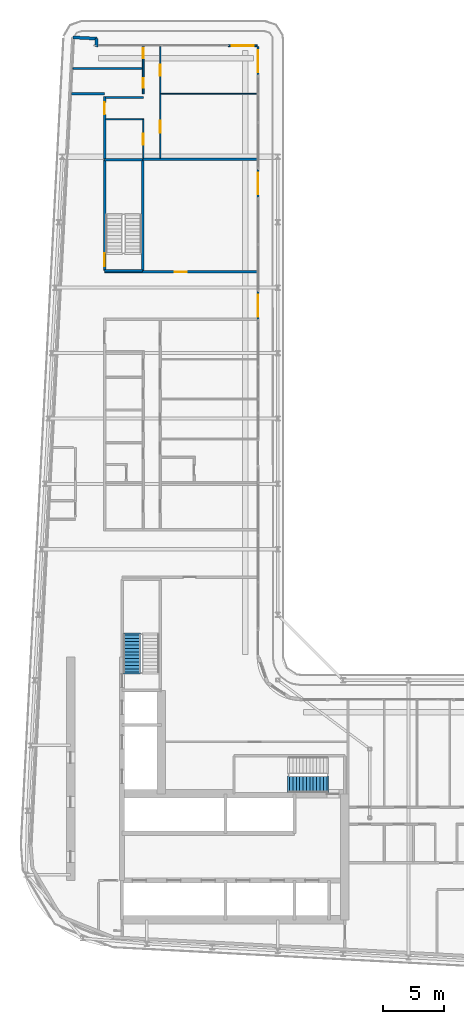
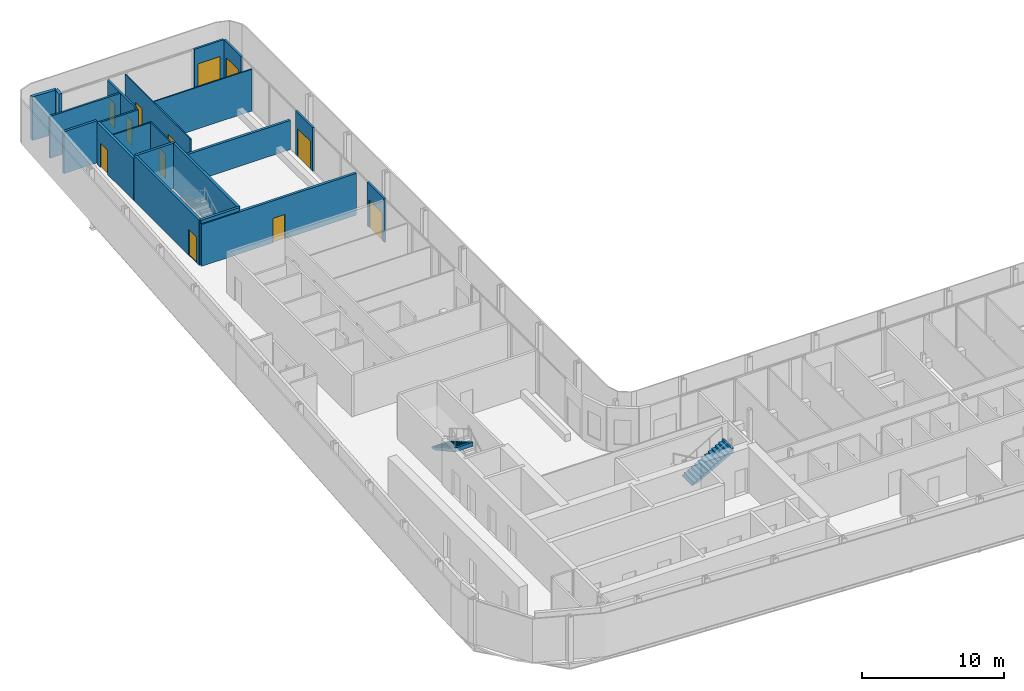
# One storey, part 15 of 23: 21 walls, 12 doors, 2 stair flights, 12 openings, 2 elements without a shape of their own.
"""IFC4 building model written with IfcOpenShell, lengths in metres."""

import ifcopenshell
import ifcopenshell.guid

model = None  # the IFC model being written
_history = None  # IfcOwnerHistory: only IFC2X3 demands one
_inside = {}  # id of a spatial element -> (the spatial element, [elements in it])
_under = {}  # id of a project, library or spatial element -> (it, [spatial elements below it])
_declared = {}  # id of a project -> (the project, [libraries it declares])
_typed = {}  # id of a type object -> (the type object, [elements of that type])
_made_of = {}  # id of a material, layer set ... -> (it, [elements and type objects made of it])


def new_model(schema):
    """Start an empty IFC model of exactly this schema.

    Asked for "IFC4X3", IfcOpenShell would pick the latest addendum, in which some entities
    have other attributes; the version numbers below select the first issue.
    IFC2X3 requires an IfcOwnerHistory on every rooted entity: one is made here for all.
    """
    global model, _history
    if schema == "IFC4X3":
        model = ifcopenshell.file(schema_version=(4, 3, 0, 0))
    else:
        model = ifcopenshell.file(schema=schema)
    _inside.clear()
    _under.clear()
    _declared.clear()
    _typed.clear()
    _made_of.clear()
    _history = None
    if model.schema == "IFC2X3":
        org = make("IfcOrganization", Name="unknown")
        user = make(
            "IfcPersonAndOrganization",
            ThePerson=make("IfcPerson", FamilyName="unknown"),
            TheOrganization=org,
        )
        app = make(
            "IfcApplication",
            ApplicationDeveloper=org,
            Version="unknown",
            ApplicationFullName="unknown",
            ApplicationIdentifier="unknown",
        )
        _history = make(
            "IfcOwnerHistory",
            OwningUser=user,
            OwningApplication=app,
            ChangeAction="ADDED",
            CreationDate=0,
        )
    return model


def make(cls, **values):
    """One entity of the class cls with the attributes given. An attribute that is None is left unset."""
    return model.create_entity(
        cls, **{name: value for name, value in values.items() if value is not None}
    )


def rooted(cls, **values):
    """An entity with a GlobalId (a new one), such as an element, a storey or a relation."""
    return make(cls, GlobalId=ifcopenshell.guid.new(), OwnerHistory=_history, **values)


def si_unit(unit_type, name, prefix=None):
    """IfcSIUnit, for example si_unit("LENGTHUNIT", "METRE", prefix="MILLI")."""
    return make("IfcSIUnit", UnitType=unit_type, Prefix=prefix, Name=name)


def assignment(units):
    """IfcUnitAssignment: the units of a project."""
    return None if units is None else make("IfcUnitAssignment", Units=units)


def point(xyz):
    """IfcCartesianPoint."""
    return None if xyz is None else make("IfcCartesianPoint", Coordinates=xyz)


def direction(xyz):
    """IfcDirection."""
    return None if xyz is None else make("IfcDirection", DirectionRatios=xyz)


def frame(location, z_axis=None, x_axis=None):
    """IfcAxis2Placement3D, a coordinate frame: its origin and axes. An axis left out is left unset."""
    return make(
        "IfcAxis2Placement3D",
        Location=point(location),
        Axis=direction(z_axis),
        RefDirection=direction(x_axis),
    )


def frame_2d(location, x_axis=None):
    """IfcAxis2Placement2D, a coordinate frame in the plane: its origin and x axis."""
    return make(
        "IfcAxis2Placement2D", Location=point(location), RefDirection=direction(x_axis)
    )


def origin():
    """The frame at (0, 0, 0) with its axes left unset."""
    return frame((0.0, 0.0, 0.0))


def place(relative_to, where):
    """IfcLocalPlacement: puts the frame where relative to a parent placement (None: the world)."""
    return make(
        "IfcLocalPlacement", PlacementRelTo=relative_to, RelativePlacement=where
    )


def context(
    kind, dimensions, precision=None, world=None, true_north=None, identifier=None
):
    """IfcGeometricRepresentationContext, for example the 3D "Model" context."""
    return make(
        "IfcGeometricRepresentationContext",
        ContextIdentifier=identifier,
        ContextType=kind,
        CoordinateSpaceDimension=dimensions,
        Precision=precision,
        WorldCoordinateSystem=world,
        TrueNorth=true_north,
    )


def subcontext(parent, identifier, kind, view, scale=None):
    """IfcGeometricRepresentationSubContext, for example "Body" below "Model"."""
    return make(
        "IfcGeometricRepresentationSubContext",
        ContextIdentifier=identifier,
        ContextType=kind,
        ParentContext=parent,
        TargetScale=scale,
        TargetView=view,
    )


def project(units=None, contexts=None):
    """IfcProject with its units and contexts."""
    return rooted(
        "IfcProject",
        Name="project",
        RepresentationContexts=contexts,
        UnitsInContext=assignment(units),
    )


def spatial(cls, under=None, at=None, **own):
    """A site, building, storey or space (cls), placed at a placement, below another one or the project."""
    s = rooted(cls, ObjectPlacement=at, **own)
    if under is not None:
        _under.setdefault(under.id(), (under, []))[1].append(s)
    return s


def polyline(points):
    """IfcPolyline through the points."""
    return make("IfcPolyline", Points=[point(p) for p in points])


def profile(cls, at=None, kind="AREA", **sizes):
    """A parametric profile (cls). Its sizes go by their IFC names, for example OverallWidth=200.0."""
    return make(cls, ProfileType=kind, Position=at, **sizes)


def rectangle(**sizes):
    """IfcRectangleProfileDef."""
    return profile("IfcRectangleProfileDef", **sizes)


def outline(outer, holes=None, kind="AREA"):
    """IfcArbitraryClosedProfileDef: a profile drawn as a closed curve; with holes, ...WithVoids."""
    if holes is None:
        return make("IfcArbitraryClosedProfileDef", ProfileType=kind, OuterCurve=outer)
    return make(
        "IfcArbitraryProfileDefWithVoids",
        ProfileType=kind,
        OuterCurve=outer,
        InnerCurves=holes,
    )


def extrude(swept, where, along, depth):
    """IfcExtrudedAreaSolid: the profile swept, set in the frame where, extruded along a direction by depth."""
    return make(
        "IfcExtrudedAreaSolid",
        SweptArea=swept,
        Position=where,
        ExtrudedDirection=direction(along),
        Depth=depth,
    )


def shape(context_of_items, identifier, shape_type, items):
    """IfcShapeRepresentation: the items that make up one representation, for example the "Body"."""
    return make(
        "IfcShapeRepresentation",
        ContextOfItems=context_of_items,
        RepresentationIdentifier=identifier,
        RepresentationType=shape_type,
        Items=items,
    )


def source(mapping_origin, context_of_items, identifier, shape_type, items):
    """IfcRepresentationMap: a shape defined once, which mapped items show again and again."""
    return make(
        "IfcRepresentationMap",
        MappingOrigin=mapping_origin,
        MappedRepresentation=shape(context_of_items, identifier, shape_type, items),
    )


def transform(
    local_origin,
    x_axis=None,
    y_axis=None,
    z_axis=None,
    scale=None,
    scale2=None,
    scale3=None,
    uniform=True,
):
    """IfcCartesianTransformationOperator3D, or its non-uniform kind. x_axis, y_axis, z_axis: its Axis1, 2, 3."""
    if uniform:
        return make(
            "IfcCartesianTransformationOperator3D",
            Axis1=direction(x_axis),
            Axis2=direction(y_axis),
            LocalOrigin=point(local_origin),
            Scale=scale,
            Axis3=direction(z_axis),
        )
    return make(
        "IfcCartesianTransformationOperator3DnonUniform",
        Axis1=direction(x_axis),
        Axis2=direction(y_axis),
        LocalOrigin=point(local_origin),
        Scale=scale,
        Axis3=direction(z_axis),
        Scale2=scale2,
        Scale3=scale3,
    )


def mapped(mapping_source, mapping_target):
    """IfcMappedItem: shows the shape of a source again, moved by a transform."""
    return make(
        "IfcMappedItem", MappingSource=mapping_source, MappingTarget=mapping_target
    )


def material(Name=None, Category=None):
    """IfcMaterial."""
    return make("IfcMaterial", Name=Name, Category=Category)


def layer(
    of_material, thickness, ventilated=None, Name=None, Category=None, Priority=None
):
    """IfcMaterialLayer: one layer of a wall or slab, of a material (None: an air gap)."""
    return make(
        "IfcMaterialLayer",
        Material=of_material,
        LayerThickness=thickness,
        IsVentilated=ventilated,
        Name=Name,
        Category=Category,
        Priority=Priority,
    )


def layer_set(layers, Name=None):
    """IfcMaterialLayerSet."""
    return make("IfcMaterialLayerSet", MaterialLayers=layers, LayerSetName=Name)


def made_of(thing, what):
    """Note that an element or type object is made of a material, layer set ...; save() writes the relation."""
    if what is not None:
        _made_of.setdefault(what.id(), (what, []))[1].append(thing)
    return thing


def type_object(cls, material=None, **own):
    """A type object (cls), such as IfcWallType, which elements share."""
    return made_of(rooted(cls, **own), material)


def element(
    cls,
    number,
    at=None,
    inside=None,
    cuts=None,
    type_object=None,
    material=None,
    context=None,
    identifier="Body",
    shape_type=None,
    held_by="IfcProductDefinitionShape",
    body=None,
    shapes=None,
    **own,
):
    """One element of the class cls, such as IfcWall. Its Tag is "e" and its number.

    at: its placement. inside: the storey or other place that contains it. cuts: it is an
    opening in that element (IfcRelVoidsElement). A single representation is given by context,
    identifier, shape_type and body (its items); several are given by shapes. held_by: the class
    of the entity that holds the representations. save() writes the other relations.
    """
    e = rooted(cls, Tag="e%d" % number, ObjectPlacement=at, **own)
    if body is not None:
        shapes = [shape(context, identifier, shape_type, body)]
    if shapes is not None:
        e.Representation = make(held_by, Representations=shapes)
    if inside is not None:
        _inside.setdefault(inside.id(), (inside, []))[1].append(e)
    if cuts is not None:
        rooted(
            "IfcRelVoidsElement", RelatingBuildingElement=cuts, RelatedOpeningElement=e
        )
    if type_object is not None:
        _typed.setdefault(type_object.id(), (type_object, []))[1].append(e)
    return made_of(e, material)


def fill(opening, filler):
    """IfcRelFillsElement: the door or window that sits in an opening."""
    return rooted(
        "IfcRelFillsElement",
        RelatingOpeningElement=opening,
        RelatedBuildingElement=filler,
    )


def aggregate(whole, parts):
    """IfcRelAggregates: a whole, such as a stair, and the parts it consists of."""
    return rooted("IfcRelAggregates", RelatingObject=whole, RelatedObjects=parts)


def save(model, path):
    """Write the relations noted so far, then the file.

    IfcRelAggregates (storeys below a building ...), IfcRelContainedInSpatialStructure (elements
    in a storey), IfcRelDefinesByType, IfcRelAssociatesMaterial and IfcRelDeclares: one each for
    every whole, place, type object, material and project.
    """
    for whole, parts in _under.values():
        aggregate(whole, parts)
    for where, things in _inside.values():
        rooted(
            "IfcRelContainedInSpatialStructure",
            RelatedElements=things,
            RelatingStructure=where,
        )
    for kind, things in _typed.values():
        rooted("IfcRelDefinesByType", RelatedObjects=things, RelatingType=kind)
    for what, things in _made_of.values():
        rooted("IfcRelAssociatesMaterial", RelatedObjects=things, RelatingMaterial=what)
    for by, libraries in _declared.values():
        rooted("IfcRelDeclares", RelatingContext=by, RelatedDefinitions=libraries)
    model.write(path)


model = new_model("IFC4")

# Units and contexts
model_context = context("Model", 3, precision=1e-05, world=origin(), true_north=direction((0.0, 1.0)))
body_context = subcontext(model_context, "Body", "Model", "MODEL_VIEW")
ifc_project = project(units=[si_unit("LENGTHUNIT", "METRE"), si_unit("AREAUNIT", "SQUARE_METRE"), si_unit("VOLUMEUNIT", "CUBIC_METRE"), si_unit("PLANEANGLEUNIT", "RADIAN"), si_unit("MASSUNIT", "GRAM", prefix="KILO")], contexts=[model_context])

# Site, building, storey
site_placement = place(None, origin())
site = spatial("IfcSite", under=ifc_project, at=site_placement, CompositionType="ELEMENT")
building_placement = place(site_placement, origin())
building = spatial("IfcBuilding", under=site, at=building_placement, Name="Kheshtan School and Residences Tower", CompositionType="ELEMENT")
storey_placement = place(building_placement, frame((0.0, 0.0, 239.60009765625)))
storey = spatial("IfcBuildingStorey", under=building, at=storey_placement, Name="L56", CompositionType="ELEMENT", Elevation=239.60009765625)

# Wall
ifc_material_1 = material(Name="Gypsum board on steel studs with fire boards", Category="steel")
ifc_layer_1 = layer(ifc_material_1, 0.199951171875)
ifc_layer_set_1 = layer_set([ifc_layer_1], Name="Corridor wall 200")
wall_type_1 = type_object("IfcWallType", Name="Corridor wall 200", PredefinedType="PARTITIONING", material=ifc_layer_set_1)
wall_1_placement = place(storey_placement, frame((30.584716796875, 94.0, 0.0), z_axis=(0.0, 0.0, 1.0), x_axis=(1.0, 0.0, 0.0)))
element("IfcWall", 1, at=wall_1_placement, inside=storey, type_object=wall_type_1, Name="Partition L56-002", PredefinedType="PARTITIONING", context=body_context, shape_type="SweptSolid", body=[
    extrude(rectangle(XDim=2.71533203125, YDim=0.199951171875, at=frame_2d((1.357666015625, 0.0))), origin(), (0.0, 0.0, 1.0), 3.599853515625),
])

# Wall, opening, door
wall_2_placement = place(storey_placement, frame((33.300048828125, 79.300048828125, 0.0), z_axis=(0.0, 0.0, 1.0), x_axis=(1.0, 0.0, 0.0)))
wall_2 = element("IfcWall", 2, at=wall_2_placement, inside=storey, type_object=wall_type_1, Name="Partition L56-004", PredefinedType="PARTITIONING", context=body_context, shape_type="SweptSolid", body=[
    extrude(rectangle(XDim=12.599853515625, YDim=0.199951171875, at=frame_2d((6.2998046875, 0.0))), origin(), (0.0, 0.0, 1.0), 3.599853515625),
])
opening_1_placement = place(wall_2_placement, frame((5.794921875, 0.0, 0.0)))
opening_1 = element("IfcOpeningElement", 3, at=opening_1_placement, cuts=wall_2, Name="Opening D56-049", PredefinedType="OPENING", context=body_context, shape_type="SweptSolid", body=[
    extrude(rectangle(XDim=1.0, YDim=2.10009765625, at=frame_2d((0.5, 1.050048828125))), frame((0.0, 0.10986328125, 0.0), z_axis=(0.0, -1.0, 0.0), x_axis=(1.0, 0.0, 0.0)), (0.0, 0.0, 1.0), 0.219970703125),
])
ifc_material_2 = material(Name="Steel-framed fire-resisting door leaf", Category="steel")
door_type_1 = type_object("IfcDoorType", Name="Fire door FD60 1000 x 2100", OperationType="SINGLE_SWING_LEFT", PredefinedType="DOOR", material=ifc_material_2)
shared_shape_1 = source(origin(), body_context, "Body", "SweptSolid", [
    extrude(rectangle(XDim=1.0, YDim=2.10009765625, at=frame_2d((0.5, 1.050048828125))), frame((0.0, 0.02490234375, 0.0), z_axis=(0.0, -1.0, 0.0), x_axis=(1.0, 0.0, 0.0)), (0.0, 0.0, 1.0), 0.050048828125),
])
door_1_placement = place(opening_1_placement, origin())
door_1 = element("IfcDoor", 4, at=door_1_placement, inside=storey, type_object=door_type_1, Name="Door D56-049", OperationType="SINGLE_SWING_RIGHT", OverallHeight=2.10009765625, OverallWidth=1.0, PredefinedType="DOOR", context=body_context, shape_type="MappedRepresentation", body=[
    mapped(shared_shape_1, transform((0.0, 0.0, 0.0), x_axis=(1.0, 0.0, 0.0), y_axis=(0.0, 1.0, 0.0), z_axis=(0.0, 0.0, 1.0), scale=1.0)),
])
fill(opening_1, door_1)

wall_3_placement = place(storey_placement, frame((33.300048828125, 88.60009765625, 0.0), z_axis=(0.0, 0.0, 1.0), x_axis=(0.0, 1.0, 0.0)))
wall_3 = element("IfcWall", 5, at=wall_3_placement, inside=storey, type_object=wall_type_1, Name="Partition L56-005", PredefinedType="PARTITIONING", context=body_context, shape_type="SweptSolid", body=[
    extrude(rectangle(XDim=5.1748046875, YDim=0.199951171875, at=frame_2d((2.58740234375, 0.0))), origin(), (0.0, 0.0, 1.0), 3.599853515625),
])
opening_2_placement = place(wall_3_placement, frame((3.699951171875, 0.0, 0.0)))
opening_2 = element("IfcOpeningElement", 6, at=opening_2_placement, cuts=wall_3, Name="Opening D56-042", PredefinedType="OPENING", context=body_context, shape_type="SweptSolid", body=[
    extrude(rectangle(XDim=1.0, YDim=2.10009765625, at=frame_2d((0.5, 1.050048828125))), frame((0.0, 0.10986328125, 0.0), z_axis=(0.0, -1.0, 0.0), x_axis=(1.0, 0.0, 0.0)), (0.0, 0.0, 1.0), 0.219970703125),
])
door_type_2 = type_object("IfcDoorType", Name="Fire door FD30S 1000 x 2100", OperationType="SINGLE_SWING_LEFT", PredefinedType="DOOR", material=ifc_material_2)
shared_shape_2 = source(origin(), body_context, "Body", "SweptSolid", [
    extrude(rectangle(XDim=1.0, YDim=2.10009765625, at=frame_2d((0.5, 1.050048828125))), frame((0.0, 0.02490234375, 0.0), z_axis=(0.0, -1.0, 0.0), x_axis=(1.0, 0.0, 0.0)), (0.0, 0.0, 1.0), 0.050048828125),
])
door_2_placement = place(opening_2_placement, origin())
door_2 = element("IfcDoor", 7, at=door_2_placement, inside=storey, type_object=door_type_2, Name="Door D56-042", OperationType="SINGLE_SWING_RIGHT", OverallHeight=2.10009765625, OverallWidth=1.0, PredefinedType="DOOR", context=body_context, shape_type="MappedRepresentation", body=[
    mapped(shared_shape_2, transform((0.0, 0.0, 0.0), x_axis=(1.0, 0.0, 0.0), y_axis=(0.0, 1.0, 0.0), z_axis=(0.0, 0.0, 1.0), scale=1.0)),
])
fill(opening_2, door_2)

# Walls
ifc_material_3 = material(Name="Concrete C40/50 with ceramic cladding and mineral wool insulation", Category="concrete")
ifc_layer_2 = layer(ifc_material_3, 0.25)
ifc_layer_set_2 = layer_set([ifc_layer_2], Name="External wall 250 ceramic clad")
wall_type_2 = type_object("IfcWallType", Name="External wall 250 ceramic clad", PredefinedType="SOLIDWALL", material=ifc_layer_set_2)
wall_4_placement = place(storey_placement, frame((30.705078125, 98.6640625, 0.0), z_axis=(0.0, 0.0, 1.0), x_axis=(0.998577785791, -0.053314216913, 0.0)))
element("IfcWall", 8, at=wall_4_placement, inside=storey, type_object=wall_type_2, Name="External wall L56 5", PredefinedType="SOLIDWALL", context=body_context, shape_type="SweptSolid", body=[
    extrude(rectangle(XDim=1.95068359375, YDim=0.25, at=frame_2d((0.975341796875, 0.0))), origin(), (0.0, 0.0, 1.0), 3.75),
])
wall_5_placement = place(storey_placement, frame((32.653076171875, 98.56005859375, 0.0), z_axis=(0.0, 0.0, 1.0), x_axis=(-0.054093451632, -0.998535877418, 0.0)))
element("IfcWall", 9, at=wall_5_placement, inside=storey, type_object=wall_type_2, Name="External wall L56 6", PredefinedType="SOLIDWALL", context=body_context, shape_type="SweptSolid", body=[
    extrude(rectangle(XDim=0.66796875, YDim=0.25, at=frame_2d((0.333984375, 0.0))), origin(), (0.0, 0.0, 1.0), 3.75),
])

# Wall, opening, door
ifc_material_4 = material(Name="Aluminium frame wall with insulated infill", Category="aluminium")
ifc_layer_3 = layer(ifc_material_4, 0.14990234375)
ifc_layer_set_3 = layer_set([ifc_layer_3], Name="Glazing frame wall 150")
wall_type_3 = type_object("IfcWallType", Name="Glazing frame wall 150", PredefinedType="SOLIDWALL", material=ifc_layer_set_3)
wall_6_placement = place(storey_placement, frame((43.5, 97.97509765625, 0.0), z_axis=(0.0, 0.0, 1.0), x_axis=(1.0, 0.0, 0.0)))
wall_6 = element("IfcWall", 10, at=wall_6_placement, inside=storey, type_object=wall_type_3, Name="Balcony door wall L56 7.1", PredefinedType="SOLIDWALL", context=body_context, shape_type="SweptSolid", body=[
    extrude(rectangle(XDim=2.39990234375, YDim=0.14990234375, at=frame_2d((1.199951171875, 0.0))), origin(), (0.0, 0.0, 1.0), 3.75),
])
opening_3_placement = place(wall_6_placement, frame((0.300048828125, 0.0, 0.0)))
opening_3 = element("IfcOpeningElement", 11, at=opening_3_placement, cuts=wall_6, Name="Opening BD", PredefinedType="OPENING", context=body_context, shape_type="SweptSolid", body=[
    extrude(rectangle(XDim=1.800048828125, YDim=2.39990234375, at=frame_2d((0.89990234375, 1.199951171875))), frame((0.0, 0.0849609375, 0.0), z_axis=(0.0, -1.0, 0.0), x_axis=(1.0, 0.0, 0.0)), (0.0, 0.0, 1.0), 0.169921875),
])
ifc_material_5 = material(Name="Clear low-e glass in thermally broken aluminium frame", Category="aluminium")
door_type_3 = type_object("IfcDoorType", Name="Balcony sliding door", OperationType="SLIDING_TO_LEFT", PredefinedType="DOOR", material=ifc_material_5)
shared_shape_3 = source(origin(), body_context, "Body", "SweptSolid", [
    extrude(rectangle(XDim=1.800048828125, YDim=2.39990234375, at=frame_2d((0.89990234375, 1.199951171875))), frame((0.0, 0.02490234375, 0.0), z_axis=(0.0, -1.0, 0.0), x_axis=(1.0, 0.0, 0.0)), (0.0, 0.0, 1.0), 0.050048828125),
])
door_3_placement = place(opening_3_placement, origin())
door_3 = element("IfcDoor", 12, at=door_3_placement, inside=storey, type_object=door_type_3, Name="Balcony door L56 7.1", OperationType="SLIDING_TO_LEFT", OverallHeight=2.39990234375, OverallWidth=1.800048828125, PredefinedType="DOOR", context=body_context, shape_type="MappedRepresentation", body=[
    mapped(shared_shape_3, transform((0.0, 0.0, 0.0), x_axis=(1.0, 0.0, 0.0), y_axis=(0.0, 1.0, 0.0), z_axis=(0.0, 0.0, 1.0), scale=1.0)),
])
fill(opening_3, door_3)

wall_7_placement = place(storey_placement, frame((45.97509765625, 97.89990234375, 0.0), z_axis=(0.0, 0.0, 1.0), x_axis=(0.0, -1.0, 0.0)))
wall_7 = element("IfcWall", 13, at=wall_7_placement, inside=storey, type_object=wall_type_3, Name="Balcony door wall L56 8.1", PredefinedType="SOLIDWALL", context=body_context, shape_type="SweptSolid", body=[
    extrude(rectangle(XDim=2.39990234375, YDim=0.14990234375, at=frame_2d((1.199951171875, 0.0))), origin(), (0.0, 0.0, 1.0), 3.75),
])
opening_4_placement = place(wall_7_placement, frame((0.300048828125, 0.0, 0.0)))
opening_4 = element("IfcOpeningElement", 14, at=opening_4_placement, cuts=wall_7, Name="Opening BD", PredefinedType="OPENING", context=body_context, shape_type="SweptSolid", body=[
    extrude(rectangle(XDim=1.800048828125, YDim=2.39990234375, at=frame_2d((0.89990234375, 1.199951171875))), frame((0.0, 0.0849609375, 0.0), z_axis=(0.0, -1.0, 0.0), x_axis=(1.0, 0.0, 0.0)), (0.0, 0.0, 1.0), 0.169921875),
])
door_4_placement = place(opening_4_placement, origin())
door_4 = element("IfcDoor", 15, at=door_4_placement, inside=storey, type_object=door_type_3, Name="Balcony door L56 8.1", OperationType="SLIDING_TO_LEFT", OverallHeight=2.39990234375, OverallWidth=1.800048828125, PredefinedType="DOOR", context=body_context, shape_type="MappedRepresentation", body=[
    mapped(shared_shape_3, transform((0.0, 0.0, 0.0), x_axis=(1.0, 0.0, 0.0), y_axis=(0.0, 1.0, 0.0), z_axis=(0.0, 0.0, 1.0), scale=1.0)),
])
fill(opening_4, door_4)

wall_8_placement = place(storey_placement, frame((45.97509765625, 87.805908203125, 0.0), z_axis=(0.0, 0.0, 1.0), x_axis=(0.0, -1.0, 0.0)))
wall_8 = element("IfcWall", 16, at=wall_8_placement, inside=storey, type_object=wall_type_3, Name="Balcony door wall L56 8.2", PredefinedType="SOLIDWALL", context=body_context, shape_type="SweptSolid", body=[
    extrude(rectangle(XDim=2.39990234375, YDim=0.14990234375, at=frame_2d((1.199951171875, 0.0))), origin(), (0.0, 0.0, 1.0), 3.75),
])
opening_5_placement = place(wall_8_placement, frame((0.300048828125, 0.0, 0.0)))
opening_5 = element("IfcOpeningElement", 17, at=opening_5_placement, cuts=wall_8, Name="Opening BD", PredefinedType="OPENING", context=body_context, shape_type="SweptSolid", body=[
    extrude(rectangle(XDim=1.800048828125, YDim=2.39990234375, at=frame_2d((0.89990234375, 1.199951171875))), frame((0.0, 0.0849609375, 0.0), z_axis=(0.0, -1.0, 0.0), x_axis=(1.0, 0.0, 0.0)), (0.0, 0.0, 1.0), 0.169921875),
])
door_5_placement = place(opening_5_placement, origin())
door_5 = element("IfcDoor", 18, at=door_5_placement, inside=storey, type_object=door_type_3, Name="Balcony door L56 8.2", OperationType="SLIDING_TO_LEFT", OverallHeight=2.39990234375, OverallWidth=1.800048828125, PredefinedType="DOOR", context=body_context, shape_type="MappedRepresentation", body=[
    mapped(shared_shape_3, transform((0.0, 0.0, 0.0), x_axis=(1.0, 0.0, 0.0), y_axis=(0.0, 1.0, 0.0), z_axis=(0.0, 0.0, 1.0), scale=1.0)),
])
fill(opening_5, door_5)

wall_9_placement = place(storey_placement, frame((45.97509765625, 77.7119140625, 0.0), z_axis=(0.0, 0.0, 1.0), x_axis=(0.0, -1.0, 0.0)))
wall_9 = element("IfcWall", 19, at=wall_9_placement, inside=storey, type_object=wall_type_3, Name="Balcony door wall L56 8.3", PredefinedType="SOLIDWALL", context=body_context, shape_type="SweptSolid", body=[
    extrude(rectangle(XDim=2.39990234375, YDim=0.14990234375, at=frame_2d((1.199951171875, 0.0))), origin(), (0.0, 0.0, 1.0), 3.75),
])
opening_6_placement = place(wall_9_placement, frame((0.300048828125, 0.0, 0.0)))
opening_6 = element("IfcOpeningElement", 20, at=opening_6_placement, cuts=wall_9, Name="Opening BD", PredefinedType="OPENING", context=body_context, shape_type="SweptSolid", body=[
    extrude(rectangle(XDim=1.800048828125, YDim=2.39990234375, at=frame_2d((0.89990234375, 1.199951171875))), frame((0.0, 0.0849609375, 0.0), z_axis=(0.0, -1.0, 0.0), x_axis=(1.0, 0.0, 0.0)), (0.0, 0.0, 1.0), 0.169921875),
])
door_6_placement = place(opening_6_placement, origin())
door_6 = element("IfcDoor", 21, at=door_6_placement, inside=storey, type_object=door_type_3, Name="Balcony door L56 8.3", OperationType="SLIDING_TO_LEFT", OverallHeight=2.39990234375, OverallWidth=1.800048828125, PredefinedType="DOOR", context=body_context, shape_type="MappedRepresentation", body=[
    mapped(shared_shape_3, transform((0.0, 0.0, 0.0), x_axis=(1.0, 0.0, 0.0), y_axis=(0.0, 1.0, 0.0), z_axis=(0.0, 0.0, 1.0), scale=1.0)),
])
fill(opening_6, door_6)

# Wall
ifc_material_6 = material(Name="Gypsum board on steel studs", Category="steel")
ifc_layer_4 = layer(ifc_material_6, 0.10009765625)
ifc_layer_set_4 = layer_set([ifc_layer_4], Name="Gypsum partition 100")
wall_type_4 = type_object("IfcWallType", Name="Gypsum partition 100", PredefinedType="PARTITIONING", material=ifc_layer_set_4)
wall_10_placement = place(storey_placement, frame((33.39990234375, 91.89990234375, 0.0), z_axis=(0.0, 0.0, 1.0), x_axis=(1.0, 0.0, 0.0)))
element("IfcWall", 22, at=wall_10_placement, inside=storey, type_object=wall_type_4, Name="Partition L56-014", PredefinedType="PARTITIONING", context=body_context, shape_type="SweptSolid", body=[
    extrude(rectangle(XDim=3.050048828125, YDim=0.10009765625, at=frame_2d((1.52490234375, 0.0))), origin(), (0.0, 0.0, 1.0), 3.599853515625),
])

# Wall, opening, door
wall_11_placement = place(storey_placement, frame((36.5, 88.699951171875, 0.0), z_axis=(0.0, 0.0, 1.0), x_axis=(0.0, 1.0, 0.0)))
wall_11 = element("IfcWall", 23, at=wall_11_placement, inside=storey, type_object=wall_type_4, Name="Partition L56-022", PredefinedType="PARTITIONING", context=body_context, shape_type="SweptSolid", body=[
    extrude(rectangle(XDim=3.25, YDim=0.10009765625, at=frame_2d((1.625, 0.0))), origin(), (0.0, 0.0, 1.0), 3.599853515625),
])
opening_7_placement = place(wall_11_placement, frame((1.10009765625, 0.0, 0.0)))
opening_7 = element("IfcOpeningElement", 24, at=opening_7_placement, cuts=wall_11, Name="Opening D56-043", PredefinedType="OPENING", context=body_context, shape_type="SweptSolid", body=[
    extrude(rectangle(XDim=0.89990234375, YDim=2.10009765625, at=frame_2d((0.449951171875, 1.050048828125))), frame((0.0, 0.06005859375, 0.0), z_axis=(0.0, -1.0, 0.0), x_axis=(1.0, 0.0, 0.0)), (0.0, 0.0, 1.0), 0.1201171875),
])
ifc_material_7 = material(Name="Veneered timber door leaf", Category="wood")
door_type_4 = type_object("IfcDoorType", Name="Door 900 x 2100", OperationType="SINGLE_SWING_LEFT", PredefinedType="DOOR", material=ifc_material_7)
shared_shape_4 = source(origin(), body_context, "Body", "SweptSolid", [
    extrude(rectangle(XDim=0.89990234375, YDim=2.10009765625, at=frame_2d((0.449951171875, 1.050048828125))), frame((0.0, 0.02490234375, 0.0), z_axis=(0.0, -1.0, 0.0), x_axis=(1.0, 0.0, 0.0)), (0.0, 0.0, 1.0), 0.050048828125),
])
door_7_placement = place(opening_7_placement, origin())
door_7 = element("IfcDoor", 25, at=door_7_placement, inside=storey, type_object=door_type_4, Name="Door D56-043", OperationType="SINGLE_SWING_LEFT", OverallHeight=2.10009765625, OverallWidth=0.89990234375, PredefinedType="DOOR", context=body_context, shape_type="MappedRepresentation", body=[
    mapped(shared_shape_4, transform((0.0, 0.0, 0.0), x_axis=(1.0, 0.0, 0.0), y_axis=(0.0, 1.0, 0.0), z_axis=(0.0, 0.0, 1.0), scale=1.0)),
])
fill(opening_7, door_7)

# Wall, openings, doors
wall_12_placement = place(storey_placement, frame((37.89990234375, 88.699951171875, 0.0), z_axis=(0.0, 0.0, 1.0), x_axis=(0.0, 1.0, 0.0)))
wall_12 = element("IfcWall", 26, at=wall_12_placement, inside=storey, type_object=wall_type_4, Name="Partition L56-025", PredefinedType="PARTITIONING", context=body_context, shape_type="SweptSolid", body=[
    extrude(rectangle(XDim=9.199951171875, YDim=0.10009765625, at=frame_2d((4.60009765625, 0.0))), origin(), (0.0, 0.0, 1.0), 3.599853515625),
])
opening_8_placement = place(wall_12_placement, frame((6.800048828125, 0.0, 0.0)))
opening_8 = element("IfcOpeningElement", 27, at=opening_8_placement, cuts=wall_12, Name="Opening D56-041", PredefinedType="OPENING", context=body_context, shape_type="SweptSolid", body=[
    extrude(rectangle(XDim=0.89990234375, YDim=2.10009765625, at=frame_2d((0.449951171875, 1.050048828125))), frame((0.0, 0.06005859375, 0.0), z_axis=(0.0, -1.0, 0.0), x_axis=(1.0, 0.0, 0.0)), (0.0, 0.0, 1.0), 0.1201171875),
])
opening_9_placement = place(wall_12_placement, frame((2.10009765625, 0.0, 0.0)))
opening_9 = element("IfcOpeningElement", 28, at=opening_9_placement, cuts=wall_12, Name="Opening D56-044", PredefinedType="OPENING", context=body_context, shape_type="SweptSolid", body=[
    extrude(rectangle(XDim=1.0, YDim=2.10009765625, at=frame_2d((0.5, 1.050048828125))), frame((0.0, 0.06005859375, 0.0), z_axis=(0.0, -1.0, 0.0), x_axis=(1.0, 0.0, 0.0)), (0.0, 0.0, 1.0), 0.1201171875),
])
door_type_5 = type_object("IfcDoorType", Name="Door 1000 x 2100", OperationType="SINGLE_SWING_LEFT", PredefinedType="DOOR", material=ifc_material_7)
shared_shape_5 = source(origin(), body_context, "Body", "SweptSolid", [
    extrude(rectangle(XDim=1.0, YDim=2.10009765625, at=frame_2d((0.5, 1.050048828125))), frame((0.0, 0.02490234375, 0.0), z_axis=(0.0, -1.0, 0.0), x_axis=(1.0, 0.0, 0.0)), (0.0, 0.0, 1.0), 0.050048828125),
])
door_8_placement = place(opening_9_placement, origin())
door_8 = element("IfcDoor", 29, at=door_8_placement, inside=storey, type_object=door_type_5, Name="Door D56-044", OperationType="SINGLE_SWING_LEFT", OverallHeight=2.10009765625, OverallWidth=1.0, PredefinedType="DOOR", context=body_context, shape_type="MappedRepresentation", body=[
    mapped(shared_shape_5, transform((0.0, 0.0, 0.0), x_axis=(1.0, 0.0, 0.0), y_axis=(0.0, 1.0, 0.0), z_axis=(0.0, 0.0, 1.0), scale=1.0)),
])
fill(opening_9, door_8)
door_9_placement = place(opening_8_placement, origin())
door_9 = element("IfcDoor", 30, at=door_9_placement, inside=storey, type_object=door_type_4, Name="Door D56-041", OperationType="SINGLE_SWING_RIGHT", OverallHeight=2.10009765625, OverallWidth=0.89990234375, PredefinedType="DOOR", context=body_context, shape_type="MappedRepresentation", body=[
    mapped(shared_shape_4, transform((0.0, 0.0, 0.0), x_axis=(1.0, 0.0, 0.0), y_axis=(0.0, 1.0, 0.0), z_axis=(0.0, 0.0, 1.0), scale=1.0)),
])
fill(opening_8, door_9)

# Walls
wall_13_placement = place(storey_placement, frame((37.949951171875, 94.0, 0.0), z_axis=(0.0, 0.0, 1.0), x_axis=(1.0, 0.0, 0.0)))
element("IfcWall", 31, at=wall_13_placement, inside=storey, type_object=wall_type_4, Name="Partition L56-026", PredefinedType="PARTITIONING", context=body_context, shape_type="SweptSolid", body=[
    extrude(rectangle(XDim=7.949951171875, YDim=0.10009765625, at=frame_2d((3.97509765625, 0.0))), origin(), (0.0, 0.0, 1.0), 3.599853515625),
])
ifc_material_8 = material(Name="Concrete C40/50", Category="concrete")
ifc_layer_5 = layer(ifc_material_8, 0.199951171875)
ifc_layer_set_5 = layer_set([ifc_layer_5], Name="Stair enclosure wall 200 Concrete C40/50")
wall_type_5 = type_object("IfcWallType", Name="Stair enclosure wall 200 Concrete C40/50", PredefinedType="SHEAR", material=ifc_layer_set_5)
for number, where, z_axis, x_axis, name in (
    (32, (33.300048828125, 79.39990234375, 0.0), (0.0, 0.0, 1.0), (1.0, 0.0, 0.0), "Stair enclosure wall ST3"),
    (33, (33.300048828125, 88.56005859375, 0.0), (0.0, 0.0, 1.0), (1.0, 0.0, 0.0), "Stair enclosure wall ST3"),
):
    element("IfcWall", number, at=place(storey_placement, frame(where, z_axis=z_axis, x_axis=x_axis)), inside=storey, type_object=wall_type_5, Name=name, PredefinedType="SHEAR", context=body_context, shape_type="SweptSolid", body=[
        extrude(rectangle(XDim=3.14990234375, YDim=0.199951171875, at=frame_2d((1.574951171875, 0.0))), origin(), (0.0, 0.0, 1.0), 3.89990234375),
    ])

# Wall, opening, door
wall_14_placement = place(storey_placement, frame((33.300048828125, 79.39990234375, 0.0), z_axis=(0.0, 0.0, 1.0), x_axis=(0.0, 1.0, 0.0)))
wall_14 = element("IfcWall", 34, at=wall_14_placement, inside=storey, type_object=wall_type_5, Name="Stair enclosure wall ST3", PredefinedType="SHEAR", context=body_context, shape_type="SweptSolid", body=[
    extrude(rectangle(XDim=9.16015625, YDim=0.199951171875, at=frame_2d((4.580078125, 0.0))), origin(), (0.0, 0.0, 1.0), 3.89990234375),
])
opening_10_placement = place(wall_14_placement, frame((0.35009765625, 0.0, 0.0)))
opening_10 = element("IfcOpeningElement", 35, at=opening_10_placement, cuts=wall_14, Name="Opening ST3D", PredefinedType="OPENING", context=body_context, shape_type="SweptSolid", body=[
    extrude(rectangle(XDim=1.10009765625, YDim=2.199951171875, at=frame_2d((0.550048828125, 1.10009765625))), frame((0.0, 0.10986328125, 0.0), z_axis=(0.0, -1.0, 0.0), x_axis=(1.0, 0.0, 0.0)), (0.0, 0.0, 1.0), 0.219970703125),
])
ifc_material_9 = material(Name="Steel door leaf, galvanised", Category="steel")
door_type_6 = type_object("IfcDoorType", Name="Stair door 1100 steel 90 min", OperationType="SINGLE_SWING_LEFT", PredefinedType="DOOR", material=ifc_material_9)
shared_shape_6 = source(origin(), body_context, "Body", "SweptSolid", [
    extrude(rectangle(XDim=1.10009765625, YDim=2.199951171875, at=frame_2d((0.550048828125, 1.10009765625))), frame((0.0, 0.02490234375, 0.0), z_axis=(0.0, -1.0, 0.0), x_axis=(1.0, 0.0, 0.0)), (0.0, 0.0, 1.0), 0.050048828125),
])
door_10_placement = place(opening_10_placement, origin())
door_10 = element("IfcDoor", 36, at=door_10_placement, inside=storey, type_object=door_type_6, Name="Stair ST3 door", OperationType="SINGLE_SWING_RIGHT", OverallHeight=2.199951171875, OverallWidth=1.10009765625, PredefinedType="DOOR", context=body_context, shape_type="MappedRepresentation", body=[
    mapped(shared_shape_6, transform((0.0, 0.0, 0.0), x_axis=(1.0, 0.0, 0.0), y_axis=(0.0, 1.0, 0.0), z_axis=(0.0, 0.0, 1.0), scale=1.0)),
])
fill(opening_10, door_10)

# Walls
wall_15_placement = place(storey_placement, frame((36.449951171875, 79.39990234375, 0.0), z_axis=(0.0, 0.0, 1.0), x_axis=(0.0, 1.0, 0.0)))
element("IfcWall", 37, at=wall_15_placement, inside=storey, type_object=wall_type_5, Name="Stair enclosure wall ST3", PredefinedType="SHEAR", context=body_context, shape_type="SweptSolid", body=[
    extrude(rectangle(XDim=9.16015625, YDim=0.199951171875, at=frame_2d((4.580078125, 0.0))), origin(), (0.0, 0.0, 1.0), 3.89990234375),
])
ifc_material_10 = material(Name="Twin gypsum board on steel studs with mineral wool", Category="steel")
ifc_layer_6 = layer(ifc_material_10, 0.199951171875)
ifc_layer_set_6 = layer_set([ifc_layer_6], Name="Unit demising wall 200")
wall_type_6 = type_object("IfcWallType", Name="Unit demising wall 200", PredefinedType="PARTITIONING", material=ifc_layer_set_6)
wall_16_placement = place(storey_placement, frame((36.449951171875, 88.60009765625, 0.0), z_axis=(0.0, 0.0, 1.0), x_axis=(1.0, 0.0, 0.0)))
element("IfcWall", 38, at=wall_16_placement, inside=storey, type_object=wall_type_6, Name="Partition L56-020", PredefinedType="PARTITIONING", context=body_context, shape_type="SweptSolid", body=[
    extrude(rectangle(XDim=9.449951171875, YDim=0.199951171875, at=frame_2d((4.72509765625, 0.0))), origin(), (0.0, 0.0, 1.0), 2.5),
])
ifc_material_11 = material(Name="Moisture-resistant gypsum board on steel studs", Category="steel")
ifc_layer_7 = layer(ifc_material_11, 0.14990234375)
ifc_layer_set_7 = layer_set([ifc_layer_7], Name="Wet-room partition 150")
wall_type_7 = type_object("IfcWallType", Name="Wet-room partition 150", PredefinedType="PARTITIONING", material=ifc_layer_set_7)
wall_17_placement = place(storey_placement, frame((30.695068359375, 96.10009765625, 0.0), z_axis=(0.0, 0.0, 1.0), x_axis=(1.0, 0.0, 0.0)))
element("IfcWall", 39, at=wall_17_placement, inside=storey, type_object=wall_type_7, Name="Partition L56-001", PredefinedType="PARTITIONING", context=body_context, shape_type="SweptSolid", body=[
    extrude(rectangle(XDim=5.72998046875, YDim=0.14990234375, at=frame_2d((2.864990234375, 0.0))), origin(), (0.0, 0.0, 1.0), 3.599853515625),
])
wall_18_placement = place(storey_placement, frame((33.39990234375, 93.699951171875, 0.0), z_axis=(0.0, 0.0, 1.0), x_axis=(1.0, 0.0, 0.0)))
element("IfcWall", 40, at=wall_18_placement, inside=storey, type_object=wall_type_7, Name="Partition L56-015", PredefinedType="PARTITIONING", context=body_context, shape_type="SweptSolid", body=[
    extrude(rectangle(XDim=3.10009765625, YDim=0.14990234375, at=frame_2d((1.550048828125, 0.0))), origin(), (0.0, 0.0, 1.0), 3.599853515625),
])

# Wall, openings, doors
wall_19_placement = place(storey_placement, frame((36.5, 94.0, 0.0), z_axis=(0.0, 0.0, 1.0), x_axis=(0.0, 1.0, 0.0)))
wall_19 = element("IfcWall", 41, at=wall_19_placement, inside=storey, type_object=wall_type_7, Name="Partition L56-023", PredefinedType="PARTITIONING", context=body_context, shape_type="SweptSolid", body=[
    extrude(rectangle(XDim=3.89990234375, YDim=0.14990234375, at=frame_2d((1.949951171875, 0.0))), origin(), (0.0, 0.0, 1.0), 3.599853515625),
])
opening_11_placement = place(wall_19_placement, frame((0.5, 0.0, 0.0)))
opening_11 = element("IfcOpeningElement", 42, at=opening_11_placement, cuts=wall_19, Name="Opening D56-040", PredefinedType="OPENING", context=body_context, shape_type="SweptSolid", body=[
    extrude(rectangle(XDim=0.800048828125, YDim=2.10009765625, at=frame_2d((0.39990234375, 1.050048828125))), frame((0.0, 0.0849609375, 0.0), z_axis=(0.0, -1.0, 0.0), x_axis=(1.0, 0.0, 0.0)), (0.0, 0.0, 1.0), 0.169921875),
])
opening_12_placement = place(wall_19_placement, frame((2.949951171875, 0.0, 0.0)))
opening_12 = element("IfcOpeningElement", 43, at=opening_12_placement, cuts=wall_19, Name="Opening D56-045", PredefinedType="OPENING", context=body_context, shape_type="SweptSolid", body=[
    extrude(rectangle(XDim=0.800048828125, YDim=2.10009765625, at=frame_2d((0.39990234375, 1.050048828125))), frame((0.0, 0.0849609375, 0.0), z_axis=(0.0, -1.0, 0.0), x_axis=(1.0, 0.0, 0.0)), (0.0, 0.0, 1.0), 0.169921875),
])
door_type_7 = type_object("IfcDoorType", Name="Door 800 x 2100", OperationType="SINGLE_SWING_LEFT", PredefinedType="DOOR", material=ifc_material_7)
shared_shape_7 = source(origin(), body_context, "Body", "SweptSolid", [
    extrude(rectangle(XDim=0.800048828125, YDim=2.10009765625, at=frame_2d((0.39990234375, 1.050048828125))), frame((0.0, 0.02490234375, 0.0), z_axis=(0.0, -1.0, 0.0), x_axis=(1.0, 0.0, 0.0)), (0.0, 0.0, 1.0), 0.050048828125),
])
door_11_placement = place(opening_11_placement, origin())
door_11 = element("IfcDoor", 44, at=door_11_placement, inside=storey, type_object=door_type_7, Name="Door D56-040", OperationType="SINGLE_SWING_LEFT", OverallHeight=2.10009765625, OverallWidth=0.800048828125, PredefinedType="DOOR", context=body_context, shape_type="MappedRepresentation", body=[
    mapped(shared_shape_7, transform((0.0, 0.0, 0.0), x_axis=(1.0, 0.0, 0.0), y_axis=(0.0, 1.0, 0.0), z_axis=(0.0, 0.0, 1.0), scale=1.0)),
])
fill(opening_11, door_11)
door_12_placement = place(opening_12_placement, origin())
door_12 = element("IfcDoor", 45, at=door_12_placement, inside=storey, type_object=door_type_7, Name="Door D56-045", OperationType="SINGLE_SWING_LEFT", OverallHeight=2.10009765625, OverallWidth=0.800048828125, PredefinedType="DOOR", context=body_context, shape_type="MappedRepresentation", body=[
    mapped(shared_shape_7, transform((0.0, 0.0, 0.0), x_axis=(1.0, 0.0, 0.0), y_axis=(0.0, 1.0, 0.0), z_axis=(0.0, 0.0, 1.0), scale=1.0)),
])
fill(opening_12, door_12)

# Stair, stair flight
stair_type = type_object("IfcStairType", Name="Exit stair, half-turn", PredefinedType="HALF_TURN_STAIR", material=ifc_material_8)
stair_1_placement = place(storey_placement, origin())
stair_1 = element("IfcStair", 46, at=stair_1_placement, inside=storey, type_object=stair_type, Name="L56 Protected Exit Stair ST1", PredefinedType="HALF_TURN_STAIR")
ifc_layer_8 = layer(ifc_material_8, 0.14990234375)
ifc_layer_set_8 = layer_set([ifc_layer_8], Name="Stair flight 1400 Concrete C40/50")
stair_flight_type = type_object("IfcStairFlightType", Name="Stair flight 1400 Concrete C40/50", PredefinedType="STRAIGHT", material=ifc_layer_set_8)
stair_flight_1_placement = place(storey_placement, frame((48.570068359375, 37.0, 1.949951171875), z_axis=(0.0, 0.0, 1.0), x_axis=(1.0, 0.0, 0.0)))
stair_flight_1 = element("IfcStairFlight", 47, at=stair_flight_1_placement, type_object=stair_flight_type, Name="ST1 flight 2", NumberOfRisers=12, NumberOfTreads=11, PredefinedType="STRAIGHT", RiserHeight=0.1625, TreadLength=0.28, context=body_context, shape_type="SweptSolid", body=[
    extrude(outline(polyline([(-0.14990234375, -0.10009765625), (-0.14990234375, 0.0), (0.0, 0.0), (0.0, 0.16259765625), (0.280029296875, 0.16259765625), (0.280029296875, 0.324951171875), (0.56005859375, 0.324951171875), (0.56005859375, 0.487548828125), (0.840087890625, 0.487548828125), (0.840087890625, 0.64990234375), (1.1201171875, 0.64990234375), (1.1201171875, 0.8125), (1.39990234375, 0.8125), (1.39990234375, 0.97509765625), (1.679931640625, 0.97509765625), (1.679931640625, 1.137451171875), (1.9599609375, 1.137451171875), (1.9599609375, 1.300048828125), (2.239990234375, 1.300048828125), (2.239990234375, 1.46240234375), (2.52001953125, 1.46240234375), (2.52001953125, 1.625), (2.800048828125, 1.625), (2.800048828125, 1.78759765625), (3.080078125, 1.78759765625), (3.080078125, 1.949951171875), (3.080078125, 1.969970703125), (3.22998046875, 1.969970703125), (3.22998046875, 1.6142578125), (0.298583984375, 0.0), (-0.14990234375, -0.10009765625)])), frame((0.0, 0.699951171875, 0.0), z_axis=(0.0, -1.0, 0.0), x_axis=(1.0, 0.0, 0.0)), (0.0, 0.0, 1.0), 1.39990234375),
])
aggregate(stair_1, [stair_flight_1])

stair_2_placement = place(storey_placement, origin())
stair_2 = element("IfcStair", 48, at=stair_2_placement, inside=storey, type_object=stair_type, Name="L56 Protected Exit Stair ST2", PredefinedType="HALF_TURN_STAIR")
stair_flight_2_placement = place(storey_placement, frame((35.550048828125, 49.330078125, 1.949951171875), z_axis=(0.0, 0.0, 1.0), x_axis=(0.0, -1.0, 0.0)))
stair_flight_2 = element("IfcStairFlight", 49, at=stair_flight_2_placement, type_object=stair_flight_type, Name="ST2 flight 2", NumberOfRisers=12, NumberOfTreads=11, PredefinedType="STRAIGHT", RiserHeight=0.1625, TreadLength=0.28, context=body_context, shape_type="SweptSolid", body=[
    extrude(outline(polyline([(-0.14990234375, -0.10009765625), (-0.14990234375, 0.0), (0.0, 0.0), (0.0, 0.16259765625), (0.280029296875, 0.16259765625), (0.280029296875, 0.324951171875), (0.56005859375, 0.324951171875), (0.56005859375, 0.487548828125), (0.840087890625, 0.487548828125), (0.840087890625, 0.64990234375), (1.1201171875, 0.64990234375), (1.1201171875, 0.8125), (1.39990234375, 0.8125), (1.39990234375, 0.97509765625), (1.679931640625, 0.97509765625), (1.679931640625, 1.137451171875), (1.9599609375, 1.137451171875), (1.9599609375, 1.300048828125), (2.239990234375, 1.300048828125), (2.239990234375, 1.46240234375), (2.52001953125, 1.46240234375), (2.52001953125, 1.625), (2.800048828125, 1.625), (2.800048828125, 1.78759765625), (3.080078125, 1.78759765625), (3.080078125, 1.949951171875), (3.080078125, 1.969970703125), (3.22998046875, 1.969970703125), (3.22998046875, 1.6142578125), (0.298583984375, 0.0), (-0.14990234375, -0.10009765625)])), frame((0.0, 0.699951171875, 0.0), z_axis=(0.0, -1.0, 0.0), x_axis=(1.0, 0.0, 0.0)), (0.0, 0.0, 1.0), 1.39990234375),
])
aggregate(stair_2, [stair_flight_2])

save(model, "model.ifc")
